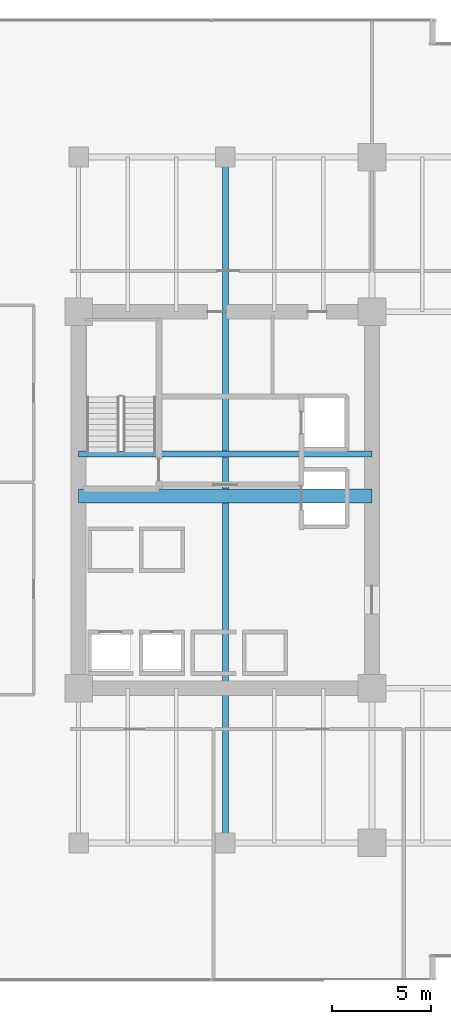
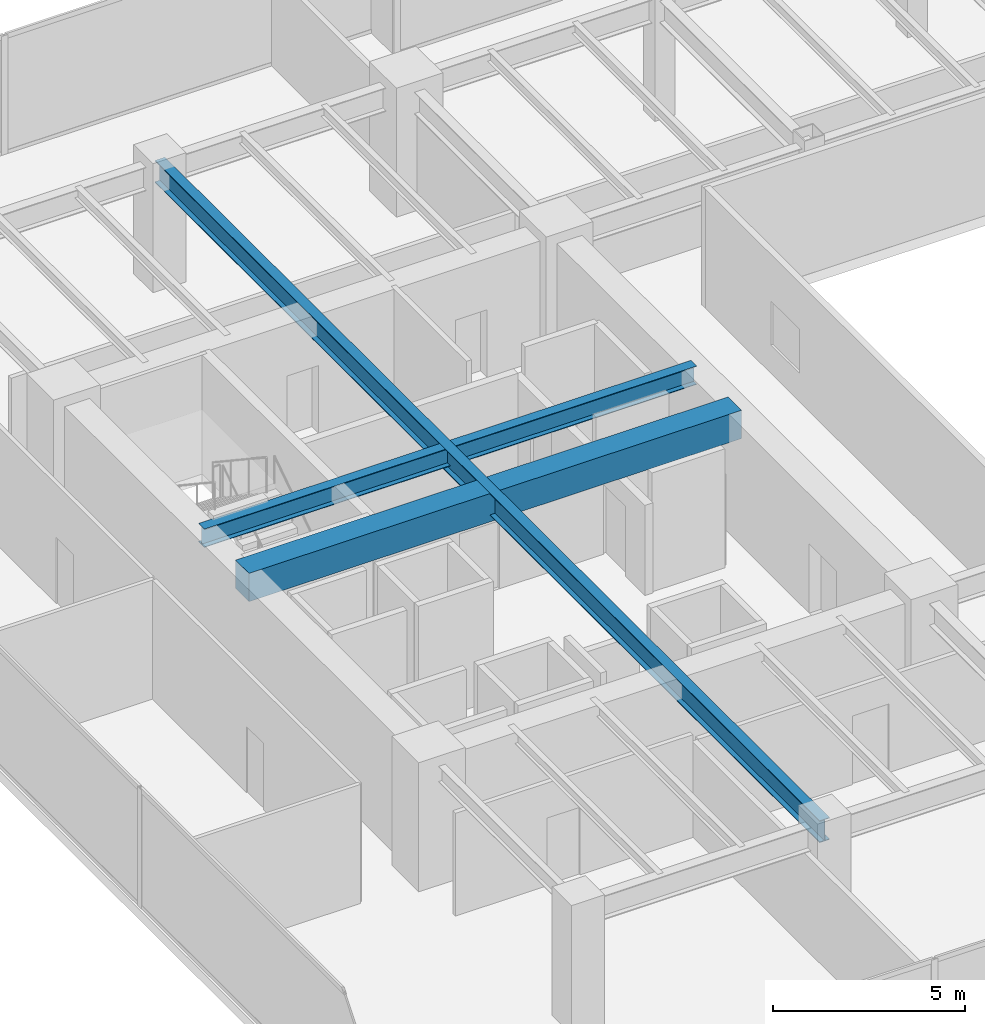
# One storey, part 7 of 35: 3 beams.
"""IFC4 building model written with IfcOpenShell, lengths in metres."""

from ifc_helpers import new_model, si_unit, direction, frame, origin, origin_2d, place, context, subcontext, project, spatial, rectangle, i_section, extrude, source, transform, mapped, material, material_profile, profile_set, type_object, type_shapes, element, save


model = new_model("IFC4")

# Units and contexts
model_context = context("Model", 3, precision=1e-05, world=origin(), true_north=direction((0.0, 1.0)))
body_context = subcontext(model_context, "Body", "Model", "MODEL_VIEW")
ifc_project = project(units=[si_unit("LENGTHUNIT", "METRE"), si_unit("AREAUNIT", "SQUARE_METRE"), si_unit("VOLUMEUNIT", "CUBIC_METRE"), si_unit("PLANEANGLEUNIT", "RADIAN"), si_unit("MASSUNIT", "GRAM", prefix="KILO")], contexts=[model_context])

# Site, building, storey
site_placement = place(None, origin())
site = spatial("IfcSite", under=ifc_project, at=site_placement, CompositionType="ELEMENT")
building_placement = place(site_placement, origin())
building = spatial("IfcBuilding", under=site, at=building_placement, Name="Haelvirn Gate Laboratories", CompositionType="ELEMENT")
storey_placement = place(building_placement, frame((0.0, 0.0, 41.60009765625)))
storey = spatial("IfcBuildingStorey", under=building, at=storey_placement, Name="L10", CompositionType="ELEMENT", Elevation=41.60009765625)

# Beams
ifc_material_1 = material(Name="Concrete C60/75", Category="concrete")
ifc_material_profile_1 = material_profile(ifc_material_1, rectangle(XDim=0.699951171875, YDim=0.89990234375, at=origin_2d()), Name="RCB-700x900")
ifc_profile_set_1 = profile_set([ifc_material_profile_1], Name="Concrete C60/75")
beam_type_1 = type_object("IfcBeamType", Name="BM-RCB-900", PredefinedType="LINTEL", material=ifc_profile_set_1)
shared_shape_1 = source(origin(), body_context, "Body", "SweptSolid", [
    extrude(rectangle(XDim=0.699951171875, YDim=0.89990234375, at=origin_2d()), origin(), (0.0, 0.0, 1.0), 14.800048828125),
])
type_shapes(beam_type_1, [shared_shape_1])
beam_1_placement = place(storey_placement, frame((7.39990234375, 24.5, 3.329833984375), z_axis=(1.0, 0.0, 0.0), x_axis=(0.0, 1.0, 0.0)))
element("IfcBeam", 1, at=beam_1_placement, inside=storey, type_object=beam_type_1, Name="L10 West Core Coupling Beam", PredefinedType="LINTEL", context=body_context, shape_type="MappedRepresentation", body=[
    mapped(shared_shape_1, transform((0.0, 0.0, 0.0), scale=1.0)),
])
ifc_material_2 = material(Name="Steel SM355", Category="steel")
ifc_material_profile_2 = material_profile(ifc_material_2, i_section(OverallWidth=0.300048828125, OverallDepth=0.587890625, WebThickness=0.011962890625, FlangeThickness=0.02001953125, at=origin_2d()), Name="H-588x300x12x20")
ifc_profile_set_2 = profile_set([ifc_material_profile_2], Name="Steel SM355")
beam_type_2 = type_object("IfcBeamType", Name="BM-G-588", PredefinedType="BEAM", material=ifc_profile_set_2)
shared_shape_2 = source(origin(), body_context, "Body", "SweptSolid", [
    extrude(i_section(OverallWidth=0.300048828125, OverallDepth=0.587890625, WebThickness=0.011962890625, FlangeThickness=0.02001953125, at=origin_2d()), origin(), (0.0, 0.0, 1.0), 14.800048828125),
])
type_shapes(beam_type_2, [shared_shape_2])
beam_2_placement = place(storey_placement, frame((7.39990234375, 26.6201171875, 3.48583984375), z_axis=(1.0, 0.0, 0.0), x_axis=(0.0, 1.0, 0.0)))
element("IfcBeam", 2, at=beam_2_placement, inside=storey, type_object=beam_type_2, Name="L10 Stair ST1 Landing Header", PredefinedType="BEAM", context=body_context, shape_type="MappedRepresentation", body=[
    mapped(shared_shape_2, transform((0.0, 0.0, 0.0), scale=1.0)),
])
ifc_material_profile_3 = material_profile(ifc_material_2, i_section(OverallWidth=0.300048828125, OverallDepth=0.699951171875, WebThickness=0.012939453125, FlangeThickness=0.02392578125, at=origin_2d()), Name="H-700x300x13x24")
ifc_profile_set_3 = profile_set([ifc_material_profile_3], Name="Steel SM355")
beam_type_3 = type_object("IfcBeamType", Name="BM-G-700", PredefinedType="BEAM", material=ifc_profile_set_3)
shared_shape_3 = source(origin(), body_context, "Body", "SweptSolid", [
    extrude(i_section(OverallWidth=0.300048828125, OverallDepth=0.699951171875, WebThickness=0.012939453125, FlangeThickness=0.02392578125, at=origin_2d()), origin(), (0.0, 0.0, 1.0), 34.60009765625),
])
type_shapes(beam_type_3, [shared_shape_3])
beam_3_placement = place(storey_placement, frame((14.800048828125, 7.0, 3.429931640625), z_axis=(0.0, 1.0, 0.0), x_axis=(-1.0, 0.0, 0.0)))
element("IfcBeam", 3, at=beam_3_placement, inside=storey, type_object=beam_type_3, Name="L10 Frame Girder X14.8 (7.0-41.6)", PredefinedType="BEAM", context=body_context, shape_type="MappedRepresentation", body=[
    mapped(shared_shape_3, transform((0.0, 0.0, 0.0), scale=1.0)),
])

save(model, "model.ifc")
